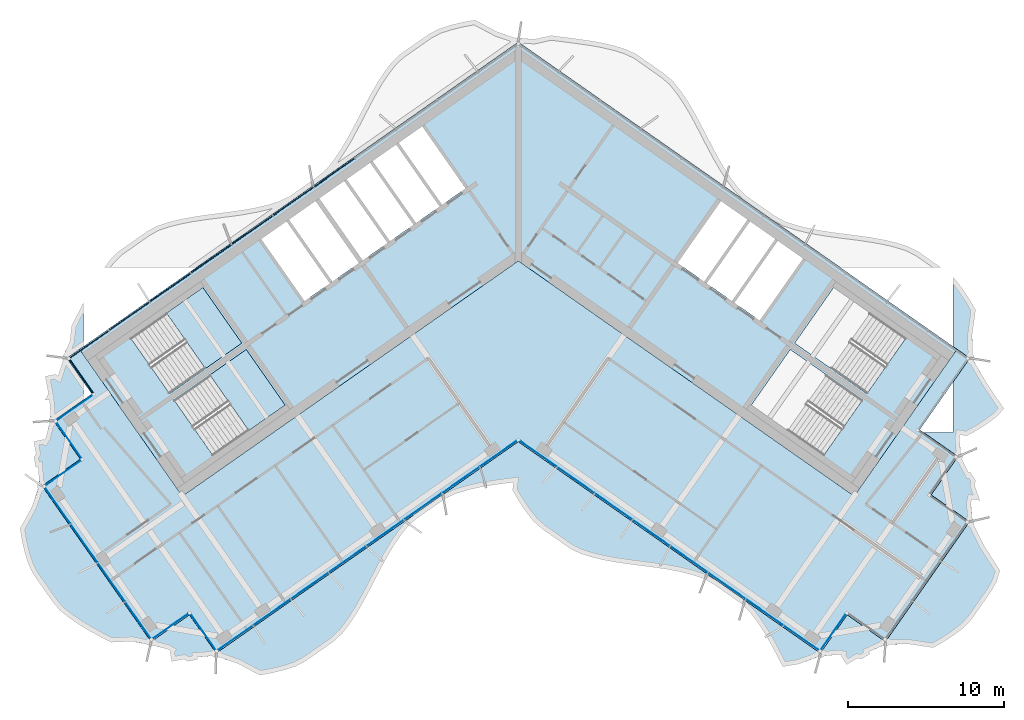
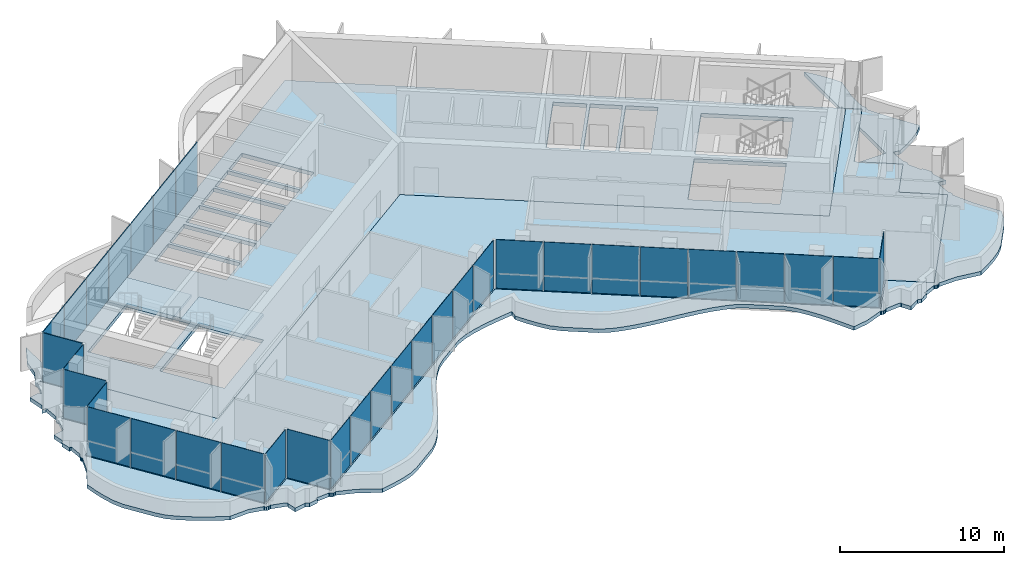
# One storey, part 7 of 18: 34 plates, 5 slabs, 4 elements without a shape of their own.
"""IFC4 building model written with IfcOpenShell, lengths in metres."""

from ifc_helpers import new_model, si_unit, direction, frame, origin, origin_2d, place, context, subcontext, project, spatial, polyline, rectangle, outline, extrude, material, layer, layer_set, type_object, element, aggregate, save


model = new_model("IFC4")

# Units and contexts
model_context = context("Model", 3, precision=1e-05, world=origin(), true_north=direction((0.0, 1.0)))
body_context = subcontext(model_context, "Body", "Model", "MODEL_VIEW")
ifc_project = project(units=[si_unit("LENGTHUNIT", "METRE"), si_unit("AREAUNIT", "SQUARE_METRE"), si_unit("VOLUMEUNIT", "CUBIC_METRE"), si_unit("PLANEANGLEUNIT", "RADIAN"), si_unit("MASSUNIT", "GRAM", prefix="KILO")], contexts=[model_context])

# Site, building, storey
site_placement = place(None, origin())
site = spatial("IfcSite", under=ifc_project, at=site_placement, CompositionType="ELEMENT")
building_placement = place(site_placement, origin())
building = spatial("IfcBuilding", under=site, at=building_placement, Name="Tel Ilan Convention Tower", CompositionType="ELEMENT")
storey_placement = place(building_placement, frame((0.0, 0.0, 303.39990234375)))
storey = spatial("IfcBuildingStorey", under=building, at=storey_placement, Name="L72", CompositionType="ELEMENT", Elevation=303.39990234375)

# Curtain wall, plates
ifc_material_1 = material(Name="Aluminium, bronze anodised", Category="aluminium")
curtain_wall_type_1 = type_object("IfcCurtainWallType", Name="CW2 STICK CURTAIN WALL, SPANDREL PANELS", PredefinedType="NOTDEFINED", material=ifc_material_1)
curtain_wall_1_placement = place(storey_placement, origin())
curtain_wall_1 = element("IfcCurtainWall", 1, at=curtain_wall_1_placement, inside=storey, type_object=curtain_wall_type_1, Name="Curtain wall CW2-54.01", PredefinedType="NOTDEFINED")
ifc_material_2 = material(Name="Aluminium composite panel, bronze anodised", Category="aluminium")
ifc_layer_1 = layer(ifc_material_2, 0.06005859375)
ifc_layer_set_1 = layer_set([ifc_layer_1], Name="CW SPANDREL PANEL 60")
plate_type_1 = type_object("IfcPlateType", Name="CW SPANDREL PANEL 60", PredefinedType="CURTAIN_PANEL", material=ifc_layer_set_1)
plate_1_placement = place(storey_placement, frame((-11.789306640625, 4.44091796875, 0.0), z_axis=(0.0, 0.0, 1.0), x_axis=(-0.819152044289, -0.573576436351, 0.0)))
plate_1 = element("IfcPlate", 2, at=plate_1_placement, type_object=plate_type_1, Name="Spandrel panel", PredefinedType="CURTAIN_PANEL", context=body_context, shape_type="SweptSolid", body=[
    extrude(rectangle(XDim=3.15380859375, YDim=0.06005859375, at=origin_2d()), origin(), (0.0, 0.0, 1.0), 3.6201171875),
])
plate_2_placement = place(storey_placement, frame((-14.422119140625, 2.59765625, 0.0), z_axis=(0.0, 0.0, 1.0), x_axis=(-0.819152044289, -0.573576436351, 0.0)))
plate_2 = element("IfcPlate", 3, at=plate_2_placement, type_object=plate_type_1, Name="Spandrel panel", PredefinedType="CURTAIN_PANEL", context=body_context, shape_type="SweptSolid", body=[
    extrude(rectangle(XDim=3.15380859375, YDim=0.06005859375, at=origin_2d()), origin(), (0.0, 0.0, 1.0), 3.6201171875),
])
plate_3_placement = place(storey_placement, frame((-17.0546875, 0.754150390625, 0.0), z_axis=(0.0, 0.0, 1.0), x_axis=(-0.819152044289, -0.573576436351, 0.0)))
plate_3 = element("IfcPlate", 4, at=plate_3_placement, type_object=plate_type_1, Name="Spandrel panel", PredefinedType="CURTAIN_PANEL", context=body_context, shape_type="SweptSolid", body=[
    extrude(rectangle(XDim=3.15380859375, YDim=0.06005859375, at=origin_2d()), origin(), (0.0, 0.0, 1.0), 3.6201171875),
])
plate_4_placement = place(storey_placement, frame((-19.687255859375, -1.089111328125, 0.0), z_axis=(0.0, 0.0, 1.0), x_axis=(-0.819152044289, -0.573576436351, 0.0)))
plate_4 = element("IfcPlate", 5, at=plate_4_placement, type_object=plate_type_1, Name="Spandrel panel", PredefinedType="CURTAIN_PANEL", context=body_context, shape_type="SweptSolid", body=[
    extrude(rectangle(XDim=3.15380859375, YDim=0.06005859375, at=origin_2d()), origin(), (0.0, 0.0, 1.0), 3.6201171875),
])
plate_5_placement = place(storey_placement, frame((-22.31982421875, -2.9326171875, 0.0), z_axis=(0.0, 0.0, 1.0), x_axis=(-0.819152044289, -0.573576436351, 0.0)))
plate_5 = element("IfcPlate", 6, at=plate_5_placement, type_object=plate_type_1, Name="Spandrel panel", PredefinedType="CURTAIN_PANEL", context=body_context, shape_type="SweptSolid", body=[
    extrude(rectangle(XDim=3.15380859375, YDim=0.06005859375, at=origin_2d()), origin(), (0.0, 0.0, 1.0), 3.6201171875),
])
plate_6_placement = place(storey_placement, frame((-24.95263671875, -4.77587890625, 0.0), z_axis=(0.0, 0.0, 1.0), x_axis=(-0.819152044289, -0.573576436351, 0.0)))
plate_6 = element("IfcPlate", 7, at=plate_6_placement, type_object=plate_type_1, Name="Spandrel panel", PredefinedType="CURTAIN_PANEL", context=body_context, shape_type="SweptSolid", body=[
    extrude(rectangle(XDim=3.15380859375, YDim=0.06005859375, at=origin_2d()), origin(), (0.0, 0.0, 1.0), 3.6201171875),
])
plate_7_placement = place(storey_placement, frame((-27.5400390625, -6.587646484375, 0.0), z_axis=(0.0, 0.0, 1.0), x_axis=(-0.819152044289, -0.573576436351, 0.0)))
plate_7 = element("IfcPlate", 8, at=plate_7_placement, type_object=plate_type_1, Name="Spandrel panel", PredefinedType="CURTAIN_PANEL", context=body_context, shape_type="SweptSolid", body=[
    extrude(rectangle(XDim=3.0439453125, YDim=0.06005859375, at=origin_2d()), origin(), (0.0, 0.0, 1.0), 3.6201171875),
])
plate_8_placement = place(storey_placement, frame((-28.033935546875, -8.60546875, 0.0), z_axis=(0.0, 0.0, 1.0), x_axis=(0.573576436351, -0.819152044289, 0.0)))
plate_8 = element("IfcPlate", 9, at=plate_8_placement, type_object=plate_type_1, Name="Spandrel panel", PredefinedType="CURTAIN_PANEL", context=body_context, shape_type="SweptSolid", body=[
    extrude(rectangle(XDim=2.658935546875, YDim=0.06005859375, at=origin_2d()), origin(), (0.0, 0.0, 1.0), 3.6201171875),
])
aggregate(curtain_wall_1, [plate_1, plate_2, plate_3, plate_4, plate_5, plate_6, plate_7, plate_8])

ifc_material_3 = material(Name="Aluminium, bronze anodised", Category="aluminium")
curtain_wall_type_2 = type_object("IfcCurtainWallType", Name="CW5 STICK CURTAIN WALL, UPPER OFFICE LOW-IRON TINTED GLASS", PredefinedType="NOTDEFINED", material=ifc_material_3)
curtain_wall_2_placement = place(storey_placement, origin())
curtain_wall_2 = element("IfcCurtainWall", 10, at=curtain_wall_2_placement, inside=storey, type_object=curtain_wall_type_2, Name="Curtain wall CW5-54.02", PredefinedType="NOTDEFINED")
ifc_material_4 = material(Name="Glass, low-iron bronze tinted, two-ply", Category="glass")
ifc_layer_2 = layer(ifc_material_4, 0.031982421875)
ifc_layer_set_2 = layer_set([ifc_layer_2], Name="CW UPPER GLASS PANEL 32")
plate_type_2 = type_object("IfcPlateType", Name="CW UPPER GLASS PANEL 32", PredefinedType="CURTAIN_PANEL", material=ifc_layer_set_2)
plate_9_placement = place(storey_placement, frame((-28.473876953125, -10.65966796875, 0.0), z_axis=(0.0, 0.0, 1.0), x_axis=(-0.819152044289, -0.573576436351, 0.0)))
plate_9 = element("IfcPlate", 11, at=plate_9_placement, type_object=plate_type_2, Name="Glass panel", PredefinedType="CURTAIN_PANEL", context=body_context, shape_type="SweptSolid", body=[
    extrude(rectangle(XDim=2.875, YDim=0.028076171875, at=origin_2d()), origin(), (0.0, 0.0, 1.0), 3.6201171875),
])
plate_10_placement = place(storey_placement, frame((-28.832763671875, -12.695068359375, 0.0), z_axis=(0.0, 0.0, 1.0), x_axis=(0.573576436351, -0.819152044289, 0.0)))
plate_10 = element("IfcPlate", 12, at=plate_10_placement, type_object=plate_type_2, Name="Glass panel", PredefinedType="CURTAIN_PANEL", context=body_context, shape_type="SweptSolid", body=[
    extrude(rectangle(XDim=2.875, YDim=0.028076171875, at=origin_2d()), origin(), (0.0, 0.0, 1.0), 3.6201171875),
])
plate_11_placement = place(storey_placement, frame((-29.21044921875, -14.837890625, 0.0), z_axis=(0.0, 0.0, 1.0), x_axis=(-0.819152044289, -0.573576436351, 0.0)))
plate_11 = element("IfcPlate", 13, at=plate_11_placement, type_object=plate_type_2, Name="Glass panel", PredefinedType="CURTAIN_PANEL", context=body_context, shape_type="SweptSolid", body=[
    extrude(rectangle(XDim=2.875, YDim=0.028076171875, at=origin_2d()), origin(), (0.0, 0.0, 1.0), 3.6201171875),
])
plate_12_placement = place(storey_placement, frame((-29.5634765625, -16.8818359375, 0.0), z_axis=(0.0, 0.0, 1.0), x_axis=(0.573576436351, -0.819152044289, 0.0)))
plate_12 = element("IfcPlate", 14, at=plate_12_placement, type_object=plate_type_2, Name="Glass panel", PredefinedType="CURTAIN_PANEL", context=body_context, shape_type="SweptSolid", body=[
    extrude(rectangle(XDim=2.89599609375, YDim=0.028076171875, at=origin_2d()), origin(), (0.0, 0.0, 1.0), 3.6201171875),
])
plate_13_placement = place(storey_placement, frame((-27.841064453125, -19.341796875, 0.0), z_axis=(0.0, 0.0, 1.0), x_axis=(0.573576436351, -0.819152044289, 0.0)))
plate_13 = element("IfcPlate", 15, at=plate_13_placement, type_object=plate_type_2, Name="Glass panel", PredefinedType="CURTAIN_PANEL", context=body_context, shape_type="SweptSolid", body=[
    extrude(rectangle(XDim=2.989990234375, YDim=0.028076171875, at=origin_2d()), origin(), (0.0, 0.0, 1.0), 3.6201171875),
])
plate_14_placement = place(storey_placement, frame((-26.091552734375, -21.84033203125, 0.0), z_axis=(0.0, 0.0, 1.0), x_axis=(0.573576436351, -0.819152044289, 0.0)))
plate_14 = element("IfcPlate", 16, at=plate_14_placement, type_object=plate_type_2, Name="Glass panel", PredefinedType="CURTAIN_PANEL", context=body_context, shape_type="SweptSolid", body=[
    extrude(rectangle(XDim=2.989990234375, YDim=0.028076171875, at=origin_2d()), origin(), (0.0, 0.0, 1.0), 3.6201171875),
])
plate_15_placement = place(storey_placement, frame((-24.369140625, -24.30029296875, 0.0), z_axis=(0.0, 0.0, 1.0), x_axis=(0.573576436351, -0.819152044289, 0.0)))
plate_15 = element("IfcPlate", 17, at=plate_15_placement, type_object=plate_type_2, Name="Glass panel", PredefinedType="CURTAIN_PANEL", context=body_context, shape_type="SweptSolid", body=[
    extrude(rectangle(XDim=2.89599609375, YDim=0.028076171875, at=origin_2d()), origin(), (0.0, 0.0, 1.0), 3.6201171875),
])
plate_16_placement = place(storey_placement, frame((-22.32763671875, -24.667724609375, 0.0), z_axis=(0.0, 0.0, 1.0), x_axis=(0.819152044289, 0.573576436351, 0.0)))
plate_16 = element("IfcPlate", 18, at=plate_16_placement, type_object=plate_type_2, Name="Glass panel", PredefinedType="CURTAIN_PANEL", context=body_context, shape_type="SweptSolid", body=[
    extrude(rectangle(XDim=2.875, YDim=0.028076171875, at=origin_2d()), origin(), (0.0, 0.0, 1.0), 3.6201171875),
])
plate_17_placement = place(storey_placement, frame((-20.184814453125, -25.04541015625, 0.0), z_axis=(0.0, 0.0, 1.0), x_axis=(0.573576436351, -0.819152044289, 0.0)))
plate_17 = element("IfcPlate", 19, at=plate_17_placement, type_object=plate_type_2, Name="Glass panel", PredefinedType="CURTAIN_PANEL", context=body_context, shape_type="SweptSolid", body=[
    extrude(rectangle(XDim=2.875, YDim=0.028076171875, at=origin_2d()), origin(), (0.0, 0.0, 1.0), 3.6201171875),
])
plate_18_placement = place(storey_placement, frame((-18.17919921875, -25.42529296875, 0.0), z_axis=(0.0, 0.0, 1.0), x_axis=(0.819152044289, 0.573576436351, 0.0)))
plate_18 = element("IfcPlate", 20, at=plate_18_placement, type_object=plate_type_2, Name="Glass panel", PredefinedType="CURTAIN_PANEL", context=body_context, shape_type="SweptSolid", body=[
    extrude(rectangle(XDim=2.802001953125, YDim=0.028076171875, at=origin_2d()), origin(), (0.0, 0.0, 1.0), 3.6201171875),
])
plate_19_placement = place(storey_placement, frame((-15.79638671875, -23.7568359375, 0.0), z_axis=(0.0, 0.0, 1.0), x_axis=(0.819152044289, 0.573576436351, 0.0)))
plate_19 = element("IfcPlate", 21, at=plate_19_placement, type_object=plate_type_2, Name="Glass panel", PredefinedType="CURTAIN_PANEL", context=body_context, shape_type="SweptSolid", body=[
    extrude(rectangle(XDim=2.89599609375, YDim=0.028076171875, at=origin_2d()), origin(), (0.0, 0.0, 1.0), 3.6201171875),
])
plate_20_placement = place(storey_placement, frame((-13.375, -22.061279296875, 0.0), z_axis=(0.0, 0.0, 1.0), x_axis=(0.819152044289, 0.573576436351, 0.0)))
plate_20 = element("IfcPlate", 22, at=plate_20_placement, type_object=plate_type_2, Name="Glass panel", PredefinedType="CURTAIN_PANEL", context=body_context, shape_type="SweptSolid", body=[
    extrude(rectangle(XDim=2.89599609375, YDim=0.028076171875, at=origin_2d()), origin(), (0.0, 0.0, 1.0), 3.6201171875),
])
plate_21_placement = place(storey_placement, frame((-10.95361328125, -20.365966796875, 0.0), z_axis=(0.0, 0.0, 1.0), x_axis=(0.819152044289, 0.573576436351, 0.0)))
plate_21 = element("IfcPlate", 23, at=plate_21_placement, type_object=plate_type_2, Name="Glass panel", PredefinedType="CURTAIN_PANEL", context=body_context, shape_type="SweptSolid", body=[
    extrude(rectangle(XDim=2.89599609375, YDim=0.028076171875, at=origin_2d()), origin(), (0.0, 0.0, 1.0), 3.6201171875),
])
plate_22_placement = place(storey_placement, frame((-8.5322265625, -18.67041015625, 0.0), z_axis=(0.0, 0.0, 1.0), x_axis=(0.819152044289, 0.573576436351, 0.0)))
plate_22 = element("IfcPlate", 24, at=plate_22_placement, type_object=plate_type_2, Name="Glass panel", PredefinedType="CURTAIN_PANEL", context=body_context, shape_type="SweptSolid", body=[
    extrude(rectangle(XDim=2.89599609375, YDim=0.028076171875, at=origin_2d()), origin(), (0.0, 0.0, 1.0), 3.6201171875),
])
plate_23_placement = place(storey_placement, frame((-6.11083984375, -16.974853515625, 0.0), z_axis=(0.0, 0.0, 1.0), x_axis=(0.819152044289, 0.573576436351, 0.0)))
plate_23 = element("IfcPlate", 25, at=plate_23_placement, type_object=plate_type_2, Name="Glass panel", PredefinedType="CURTAIN_PANEL", context=body_context, shape_type="SweptSolid", body=[
    extrude(rectangle(XDim=2.89599609375, YDim=0.028076171875, at=origin_2d()), origin(), (0.0, 0.0, 1.0), 3.6201171875),
])
plate_24_placement = place(storey_placement, frame((-3.689453125, -15.279541015625, 0.0), z_axis=(0.0, 0.0, 1.0), x_axis=(0.819152044289, 0.573576436351, 0.0)))
plate_24 = element("IfcPlate", 26, at=plate_24_placement, type_object=plate_type_2, Name="Glass panel", PredefinedType="CURTAIN_PANEL", context=body_context, shape_type="SweptSolid", body=[
    extrude(rectangle(XDim=2.89599609375, YDim=0.028076171875, at=origin_2d()), origin(), (0.0, 0.0, 1.0), 3.6201171875),
])
plate_25_placement = place(storey_placement, frame((-1.2685546875, -13.584228515625, 0.0), z_axis=(0.0, 0.0, 1.0), x_axis=(0.819152044289, 0.573576436351, 0.0)))
plate_25 = element("IfcPlate", 27, at=plate_25_placement, type_object=plate_type_2, Name="Glass panel", PredefinedType="CURTAIN_PANEL", context=body_context, shape_type="SweptSolid", body=[
    extrude(rectangle(XDim=2.89501953125, YDim=0.028076171875, at=origin_2d()), origin(), (0.0, 0.0, 1.0), 3.6201171875),
])
plate_26_placement = place(storey_placement, frame((1.280029296875, -13.59228515625, 0.0), z_axis=(0.0, 0.0, 1.0), x_axis=(0.819152044289, -0.573576436351, 0.0)))
plate_26 = element("IfcPlate", 28, at=plate_26_placement, type_object=plate_type_2, Name="Glass panel", PredefinedType="CURTAIN_PANEL", context=body_context, shape_type="SweptSolid", body=[
    extrude(rectangle(XDim=2.866943359375, YDim=0.028076171875, at=origin_2d()), origin(), (0.0, 0.0, 1.0), 3.6201171875),
])
plate_27_placement = place(storey_placement, frame((3.689453125, -15.279541015625, 0.0), z_axis=(0.0, 0.0, 1.0), x_axis=(0.819152044289, -0.573576436351, 0.0)))
plate_27 = element("IfcPlate", 29, at=plate_27_placement, type_object=plate_type_2, Name="Glass panel", PredefinedType="CURTAIN_PANEL", context=body_context, shape_type="SweptSolid", body=[
    extrude(rectangle(XDim=2.89599609375, YDim=0.028076171875, at=origin_2d()), origin(), (0.0, 0.0, 1.0), 3.6201171875),
])
plate_28_placement = place(storey_placement, frame((6.11083984375, -16.974853515625, 0.0), z_axis=(0.0, 0.0, 1.0), x_axis=(0.819152044289, -0.573576436351, 0.0)))
plate_28 = element("IfcPlate", 30, at=plate_28_placement, type_object=plate_type_2, Name="Glass panel", PredefinedType="CURTAIN_PANEL", context=body_context, shape_type="SweptSolid", body=[
    extrude(rectangle(XDim=2.89599609375, YDim=0.028076171875, at=origin_2d()), origin(), (0.0, 0.0, 1.0), 3.6201171875),
])
plate_29_placement = place(storey_placement, frame((8.5322265625, -18.67041015625, 0.0), z_axis=(0.0, 0.0, 1.0), x_axis=(0.819152044289, -0.573576436351, 0.0)))
plate_29 = element("IfcPlate", 31, at=plate_29_placement, type_object=plate_type_2, Name="Glass panel", PredefinedType="CURTAIN_PANEL", context=body_context, shape_type="SweptSolid", body=[
    extrude(rectangle(XDim=2.89599609375, YDim=0.028076171875, at=origin_2d()), origin(), (0.0, 0.0, 1.0), 3.6201171875),
])
plate_30_placement = place(storey_placement, frame((10.95361328125, -20.365966796875, 0.0), z_axis=(0.0, 0.0, 1.0), x_axis=(0.819152044289, -0.573576436351, 0.0)))
plate_30 = element("IfcPlate", 32, at=plate_30_placement, type_object=plate_type_2, Name="Glass panel", PredefinedType="CURTAIN_PANEL", context=body_context, shape_type="SweptSolid", body=[
    extrude(rectangle(XDim=2.89599609375, YDim=0.028076171875, at=origin_2d()), origin(), (0.0, 0.0, 1.0), 3.6201171875),
])
plate_31_placement = place(storey_placement, frame((13.375, -22.061279296875, 0.0), z_axis=(0.0, 0.0, 1.0), x_axis=(0.819152044289, -0.573576436351, 0.0)))
plate_31 = element("IfcPlate", 33, at=plate_31_placement, type_object=plate_type_2, Name="Glass panel", PredefinedType="CURTAIN_PANEL", context=body_context, shape_type="SweptSolid", body=[
    extrude(rectangle(XDim=2.89599609375, YDim=0.028076171875, at=origin_2d()), origin(), (0.0, 0.0, 1.0), 3.6201171875),
])
plate_32_placement = place(storey_placement, frame((15.79638671875, -23.7568359375, 0.0), z_axis=(0.0, 0.0, 1.0), x_axis=(0.819152044289, -0.573576436351, 0.0)))
plate_32 = element("IfcPlate", 34, at=plate_32_placement, type_object=plate_type_2, Name="Glass panel", PredefinedType="CURTAIN_PANEL", context=body_context, shape_type="SweptSolid", body=[
    extrude(rectangle(XDim=2.89599609375, YDim=0.028076171875, at=origin_2d()), origin(), (0.0, 0.0, 1.0), 3.6201171875),
])
plate_33_placement = place(storey_placement, frame((18.17919921875, -25.42529296875, 0.0), z_axis=(0.0, 0.0, 1.0), x_axis=(0.819152044289, -0.573576436351, 0.0)))
plate_33 = element("IfcPlate", 35, at=plate_33_placement, type_object=plate_type_2, Name="Glass panel", PredefinedType="CURTAIN_PANEL", context=body_context, shape_type="SweptSolid", body=[
    extrude(rectangle(XDim=2.802001953125, YDim=0.028076171875, at=origin_2d()), origin(), (0.0, 0.0, 1.0), 3.6201171875),
])
plate_34_placement = place(storey_placement, frame((20.184814453125, -25.04541015625, 0.0), z_axis=(0.0, 0.0, 1.0), x_axis=(0.573576436351, 0.819152044289, 0.0)))
plate_34 = element("IfcPlate", 36, at=plate_34_placement, type_object=plate_type_2, Name="Glass panel", PredefinedType="CURTAIN_PANEL", context=body_context, shape_type="SweptSolid", body=[
    extrude(rectangle(XDim=2.875, YDim=0.028076171875, at=origin_2d()), origin(), (0.0, 0.0, 1.0), 3.6201171875),
])
aggregate(curtain_wall_2, [plate_9, plate_10, plate_11, plate_12, plate_13, plate_14, plate_15, plate_16, plate_17, plate_18, plate_19, plate_20, plate_21, plate_22, plate_23, plate_24, plate_25, plate_26, plate_27, plate_28, plate_29, plate_30, plate_31, plate_32, plate_33, plate_34])

# Stair, slab
ifc_material_5 = material(Name="Concrete C40/50", Category="concrete")
stair_type = type_object("IfcStairType", Name="Pressurised Exit Stair 22 risers 177 mm", PredefinedType="HALF_TURN_STAIR", material=ifc_material_5)
stair_1_placement = place(storey_placement, origin())
stair_1 = element("IfcStair", 37, at=stair_1_placement, inside=storey, type_object=stair_type, Name="L72 Pressurised Stair S1", PredefinedType="HALF_TURN_STAIR")
ifc_material_6 = material(Name="Concrete C40/50", Category="concrete")
ifc_layer_3 = layer(ifc_material_6, 0.199951171875)
ifc_layer_set_3 = layer_set([ifc_layer_3], Name="Concrete Stair Landing 200 mm C40/50")
slab_type_1 = type_object("IfcSlabType", Name="Concrete Stair Landing 200 mm", PredefinedType="LANDING", material=ifc_layer_set_3)
slab_1_placement = place(storey_placement, frame((0.0, 0.0, 1.75)))
slab_1 = element("IfcSlab", 38, at=slab_1_placement, type_object=slab_type_1, Name="S1 landing 1", PredefinedType="LANDING", context=body_context, shape_type="SweptSolid", body=[
    extrude(outline(polyline([(-20.066650390625, -8.130126953125), (-17.7314453125, -6.494873046875), (-20.226318359375, -2.931640625), (-22.561767578125, -4.566650390625), (-20.066650390625, -8.130126953125)])), origin(), (0.0, 0.0, 1.0), 0.2001953125),
])
aggregate(stair_1, [slab_1])

stair_2_placement = place(storey_placement, origin())
stair_2 = element("IfcStair", 39, at=stair_2_placement, inside=storey, type_object=stair_type, Name="L72 Pressurised Stair S2", PredefinedType="HALF_TURN_STAIR")
slab_2_placement = place(storey_placement, frame((0.0, 0.0, 1.75)))
slab_2 = element("IfcSlab", 40, at=slab_2_placement, type_object=slab_type_1, Name="S2 landing 1", PredefinedType="LANDING", context=body_context, shape_type="SweptSolid", body=[
    extrude(outline(polyline([(-17.28466796875, -12.10302734375), (-14.949462890625, -10.4677734375), (-17.444580078125, -6.904541015625), (-19.77978515625, -8.53955078125), (-17.28466796875, -12.10302734375)])), origin(), (0.0, 0.0, 1.0), 0.2001953125),
])
aggregate(stair_2, [slab_2])

# Slabs
ifc_material_7 = material(Name="Concrete C40/50", Category="concrete")
ifc_layer_4 = layer(ifc_material_7, 0.280029296875)
ifc_layer_set_4 = layer_set([ifc_layer_4], Name="Core Floor Slab 280 mm C40/50")
slab_type_2 = type_object("IfcSlabType", Name="Core Floor Slab 280 mm C40/50", PredefinedType="FLOOR", material=ifc_layer_set_4)
slab_3_placement = place(storey_placement, frame((0.0, 0.0, -0.27978515625)))
element("IfcSlab", 41, at=slab_3_placement, inside=storey, type_object=slab_type_2, Name="L72 core floor 1", PredefinedType="FLOOR", context=body_context, shape_type="SweptSolid", body=[
    extrude(outline(polyline([(0.0, 12.818115234375), (28.1396484375, -6.885498046875), (21.54345703125, -16.3056640625), (0.0, -1.220703125), (-21.54345703125, -16.3056640625), (-28.1396484375, -6.885498046875), (-13.013916015625, 3.705810546875), (-6.48876953125, 8.274658203125), (-4.6650390625, 9.5517578125), (-0.2412109375, 12.6494140625), (0.0, 12.818115234375)]), holes=[polyline([(-17.444580078125, -6.904541015625), (-22.072021484375, -10.144775390625), (-19.5771484375, -13.7080078125), (-14.949462890625, -10.4677734375), (-17.444580078125, -6.904541015625)]), polyline([(-17.7314453125, -6.494873046875), (-20.226318359375, -2.931640625), (-24.85400390625, -6.171875), (-22.35888671875, -9.735107421875), (-17.7314453125, -6.494873046875)]), polyline([(-14.864990234375, 1.310791015625), (-16.48291015625, 0.177978515625), (-13.701171875, -3.794921875), (-12.083251953125, -2.662109375), (-14.864990234375, 1.310791015625)]), polyline([(-14.701416015625, 1.425537109375), (-11.91943359375, -2.54736328125), (-10.2197265625, -1.357421875), (-13.001708984375, 2.615478515625), (-14.701416015625, 1.425537109375)]), polyline([(-11.168701171875, 3.89892578125), (-12.755859375, 2.78759765625), (-9.97412109375, -1.185302734375), (-8.386962890625, -0.073974609375), (-11.168701171875, 3.89892578125)]), polyline([(-9.499755859375, 5.067626953125), (-11.0048828125, 4.013671875), (-8.222900390625, 0.040771484375), (-6.718017578125, 1.0947265625), (-9.499755859375, 5.067626953125)]), polyline([(-9.3359375, 5.182373046875), (-6.553955078125, 1.20947265625), (-5.048828125, 2.263427734375), (-7.830810546875, 6.236328125), (-9.3359375, 5.182373046875)]), polyline([(17.444580078125, -6.904541015625), (14.949462890625, -10.4677734375), (19.5771484375, -13.7080078125), (22.072021484375, -10.144775390625), (17.444580078125, -6.904541015625)]), polyline([(20.226318359375, -2.931640625), (17.7314453125, -6.494873046875), (22.35888671875, -9.735107421875), (24.85400390625, -6.171875), (20.226318359375, -2.931640625)]), polyline([(15.48291015625, -5.04248046875), (18.2646484375, -1.069580078125), (16.646728515625, 0.063232421875), (13.864990234375, -3.90966796875), (15.48291015625, -5.04248046875)]), polyline([(13.701171875, -3.794921875), (16.48291015625, 0.177978515625), (14.864990234375, 1.310791015625), (12.083251953125, -2.662109375), (13.701171875, -3.794921875)]), polyline([(11.91943359375, -2.54736328125), (14.701416015625, 1.425537109375), (13.001708984375, 2.615478515625), (10.2197265625, -1.357421875), (11.91943359375, -2.54736328125)]), polyline([(-6.16162109375, 7.405029296875), (-7.666748046875, 6.35107421875), (-4.885009765625, 2.378173828125), (-3.3798828125, 3.43212890625), (-6.16162109375, 7.405029296875)])]), origin(), (0.0, 0.0, 1.0), 0.27978515625),
])
ifc_material_8 = material(Name="Concrete C40/50", Category="concrete")
ifc_layer_5 = layer(ifc_material_8, 0.280029296875)
ifc_layer_set_5 = layer_set([ifc_layer_5], Name="Edge Ledge Slab 280 mm C40/50")
slab_type_3 = type_object("IfcSlabType", Name="Edge Ledge Slab 280 mm C40/50", PredefinedType="FLOOR", material=ifc_layer_set_5)
slab_4_placement = place(storey_placement, frame((0.0, 0.0, -0.27978515625)))
element("IfcSlab", 42, at=slab_4_placement, inside=storey, type_object=slab_type_3, Name="L72 edge ledge 1", PredefinedType="FLOOR", context=body_context, shape_type="SweptSolid", body=[
    extrude(outline(polyline([(-21.201171875, -26.90673828125), (-21.43505859375, -26.76416015625), (-22.220703125, -26.912109375), (-22.353515625, -26.272705078125), (-22.322998046875, -26.222900390625), (-22.47900390625, -26.1279296875), (-23.377197265625, -25.89111328125), (-23.380615234375, -25.88623046875), (-23.4345703125, -25.92236328125), (-23.54931640625, -25.9453125), (-23.664306640625, -25.92236328125), (-23.761474609375, -25.857421875), (-23.790283203125, -25.81396484375), (-23.795166015625, -25.8173828125), (-24.760498046875, -25.6171875), (-26.1044921875, -25.68212890625), (-26.829833984375, -25.31396484375), (-27.530029296875, -24.92822265625), (-28.201171875, -24.52197265625), (-28.832275390625, -24.087890625), (-29.4140625, -23.619140625), (-29.873291015625, -23.064697265625), (-31.108154296875, -21.301025390625), (-31.42236328125, -20.64501953125), (-31.646484375, -19.92578125), (-31.82470703125, -19.17431640625), (-31.955078125, -18.389892578125), (-31.176513671875, -16.968505859375), (-30.792724609375, -15.82373046875), (-30.7880859375, -15.8203125), (-30.82421875, -15.766357421875), (-30.846923828125, -15.651611328125), (-30.82421875, -15.536865234375), (-30.759033203125, -15.439453125), (-30.7158203125, -15.410400390625), (-30.718994140625, -15.40576171875), (-30.792236328125, -14.43359375), (-30.93896484375, -14.461181640625), (-31.07177734375, -13.821533203125), (-30.92919921875, -13.587646484375), (-31.077392578125, -12.802001953125), (-30.437744140625, -12.66943359375), (-30.387939453125, -12.69970703125), (-30.29296875, -12.5439453125), (-30.055908203125, -11.6455078125), (-30.05126953125, -11.64208984375), (-30.08740234375, -11.588134765625), (-30.1103515625, -11.473388671875), (-30.08740234375, -11.358642578125), (-30.0224609375, -11.26123046875), (-29.97900390625, -11.232421875), (-29.982421875, -11.227783203125), (-30.06494140625, -10.129150390625), (-30.35888671875, -10.1484375), (-30.1298828125, -9.741455078125), (-30.340576171875, -8.623779296875), (-29.700927734375, -8.4912109375), (-29.5205078125, -8.601318359375), (-29.20458984375, -7.631103515625), (-29.199951171875, -7.6279296875), (-29.236083984375, -7.57373046875), (-29.2587890625, -7.458984375), (-29.236083984375, -7.34423828125), (-29.1708984375, -7.246826171875), (-29.127685546875, -7.218017578125), (-29.130859375, -7.21337890625), (-28.772216796875, -6.441650390625), (-28.635009765625, -5.353515625), (-28.252685546875, -4.614990234375), (-27.875, -3.881103515625), (-27.875, -6.7001953125), (-28.958740234375, -7.458984375), (-27.875, -9.007080078125), (-27.875, -10.1181640625), (-29.810302734375, -11.473388671875), (-28.089599609375, -13.930908203125), (-30.547119140625, -15.651611328125), (-23.54931640625, -25.645263671875), (-21.091796875, -23.924560546875), (-19.37109375, -26.382080078125), (0.0, -12.818115234375), (19.37109375, -26.382080078125), (21.091796875, -23.924560546875), (23.54931640625, -25.645263671875), (28.94091796875, -17.9453125), (26.4833984375, -16.224609375), (28.2041015625, -13.76708984375), (26.023681640625, -12.239990234375), (27.875, -12.239990234375), (27.875, -9.007080078125), (28.958740234375, -7.458984375), (27.875, -6.7001953125), (27.875, -2.269287109375), (28.0107421875, -2.392578125), (28.48388671875, -3.001220703125), (28.922119140625, -3.6591796875), (29.331298828125, -4.35888671875), (29.109619140625, -5.95947265625), (29.130859375, -7.21337890625), (29.127685546875, -7.218017578125), (29.1708984375, -7.246826171875), (29.236083984375, -7.34423828125), (29.2587890625, -7.458984375), (29.236083984375, -7.57373046875), (29.199951171875, -7.6279296875), (29.20458984375, -7.631103515625), (30.056640625, -9.082275390625), (31.151123046875, -10.703125), (30.66748046875, -11.218994140625), (30.077880859375, -11.660888671875), (29.445068359375, -12.072265625), (28.752685546875, -12.44189453125), (28.33642578125, -12.373291015625), (28.291748046875, -12.595947265625), (28.376220703125, -13.521240234375), (28.373046875, -13.52587890625), (28.41650390625, -13.554931640625), (28.4814453125, -13.652099609375), (28.504150390625, -13.76708984375), (28.4814453125, -13.8818359375), (28.4453125, -13.935791015625), (28.449951171875, -13.939208984375), (28.889404296875, -14.805419921875), (28.979736328125, -14.751708984375), (29.3232421875, -15.30712890625), (29.26171875, -15.613037109375), (29.61181640625, -16.583740234375), (29.080078125, -16.5166015625), (29.028564453125, -16.774169921875), (29.113037109375, -17.699462890625), (29.10986328125, -17.7041015625), (29.153076171875, -17.733154296875), (29.218017578125, -17.830322265625), (29.240966796875, -17.9453125), (29.218017578125, -18.06005859375), (29.181884765625, -18.114013671875), (29.186767578125, -18.1171875), (29.872314453125, -19.47998046875), (30.8984375, -21.081298828125), (30.669189453125, -21.803466796875), (30.31298828125, -22.436767578125), (29.068603515625, -24.213623046875), (28.5625, -24.741943359375), (27.960693359375, -25.203369140625), (27.311767578125, -25.631591796875), (26.617919921875, -26.0283203125), (25.015625, -25.789306640625), (23.795166015625, -25.8173828125), (23.790283203125, -25.81396484375), (23.761474609375, -25.857421875), (23.664306640625, -25.92236328125), (23.54931640625, -25.9453125), (23.4345703125, -25.92236328125), (23.380615234375, -25.88623046875), (23.377197265625, -25.89111328125), (22.488525390625, -26.292236328125), (22.564697265625, -26.4208984375), (22.00927734375, -26.76416015625), (21.740478515625, -26.710205078125), (21.052978515625, -27.1181640625), (20.709716796875, -26.5625), (20.72119140625, -26.50537109375), (20.542236328125, -26.469482421875), (19.616943359375, -26.553955078125), (19.6123046875, -26.55078125), (19.583251953125, -26.593994140625), (19.486083984375, -26.6591796875), (19.37109375, -26.681884765625), (19.25634765625, -26.6591796875), (19.202392578125, -26.623046875), (19.19921875, -26.627685546875), (17.98388671875, -27.074951171875), (16.96240234375, -27.2451171875), (16.57958984375, -26.50341796875), (16.18994140625, -25.771728515625), (15.782958984375, -25.064453125), (15.349853515625, -24.39453125), (14.88330078125, -23.7724609375), (14.356201171875, -23.23681640625), (12.540283203125, -21.965087890625), (11.8955078125, -21.59765625), (11.16455078125, -21.353271484375), (10.3974609375, -21.159912109375), (9.601806640625, -21.008056640625), (8.785888671875, -20.885009765625), (7.958740234375, -20.777587890625), (7.130615234375, -20.672119140625), (6.311279296875, -20.553955078125), (5.510009765625, -20.40966796875), (4.73583984375, -20.22705078125), (3.99609375, -19.9951171875), (3.325927734375, -19.663818359375), (1.510009765625, -18.39208984375), (0.956298828125, -17.894287109375), (0.481201171875, -17.28466796875), (0.041015625, -16.624755859375), (-0.370361328125, -15.923583984375), (-0.30078125, -15.41357421875), (-0.840576171875, -15.48291015625), (-1.66162109375, -15.598876953125), (-2.465087890625, -15.739501953125), (-3.242919921875, -15.9169921875), (-3.987060546875, -16.142822265625), (-4.670654296875, -16.454833984375), (-6.48681640625, -17.726318359375), (-7.052734375, -18.206787109375), (-7.532470703125, -18.809814453125), (-7.976318359375, -19.464599609375), (-8.39111328125, -20.160400390625), (-8.785888671875, -20.885009765625), (-9.16943359375, -21.62548828125), (-9.552001953125, -22.367431640625), (-9.943359375, -23.09716796875), (-10.352783203125, -23.800537109375), (-10.789306640625, -24.4658203125), (-11.26025390625, -25.08154296875), (-11.80078125, -25.597900390625), (-13.61669921875, -26.86962890625), (-14.274169921875, -27.219482421875), (-15.009521484375, -27.45751953125), (-15.780029296875, -27.645263671875), (-16.57958984375, -27.7919921875), (-18.00830078125, -27.0400390625), (-19.19921875, -26.627685546875), (-19.202392578125, -26.623046875), (-19.25634765625, -26.6591796875), (-19.37109375, -26.681884765625), (-19.486083984375, -26.6591796875), (-19.583251953125, -26.593994140625), (-19.6123046875, -26.55078125), (-19.616943359375, -26.553955078125), (-20.58935546875, -26.627197265625), (-20.5615234375, -26.77392578125), (-21.201171875, -26.90673828125)])), origin(), (0.0, 0.0, 1.0), 0.27978515625),
])
ifc_material_9 = material(Name="Concrete C40/50", Category="concrete")
ifc_layer_6 = layer(ifc_material_9, 0.280029296875)
ifc_layer_set_6 = layer_set([ifc_layer_6], Name="Flat Plate Floor Slab 280 mm C40/50")
slab_type_4 = type_object("IfcSlabType", Name="Flat Plate Floor Slab 280 mm C40/50", PredefinedType="FLOOR", material=ifc_layer_set_6)
slab_5_placement = place(storey_placement, frame((0.0, 0.0, -0.27978515625)))
element("IfcSlab", 43, at=slab_5_placement, inside=storey, type_object=slab_type_4, Name="L72 floor slab", PredefinedType="FLOOR", context=body_context, shape_type="SweptSolid", body=[
    extrude(outline(polyline([(-21.54345703125, -16.3056640625), (0.0, -1.220703125), (21.54345703125, -16.3056640625), (28.1396484375, -6.885498046875), (28.958740234375, -7.458984375), (25.746826171875, -12.04638671875), (28.2041015625, -13.76708984375), (26.4833984375, -16.224609375), (28.94091796875, -17.9453125), (23.54931640625, -25.645263671875), (21.091796875, -23.924560546875), (19.37109375, -26.382080078125), (0.0, -12.818115234375), (-19.37109375, -26.382080078125), (-21.091796875, -23.924560546875), (-23.54931640625, -25.645263671875), (-30.547119140625, -15.651611328125), (-28.089599609375, -13.930908203125), (-29.810302734375, -11.473388671875), (-27.352783203125, -9.752685546875), (-28.958740234375, -7.458984375), (-28.1396484375, -6.885498046875), (-21.54345703125, -16.3056640625)])), origin(), (0.0, 0.0, 1.0), 0.27978515625),
])

save(model, "model.ifc")
